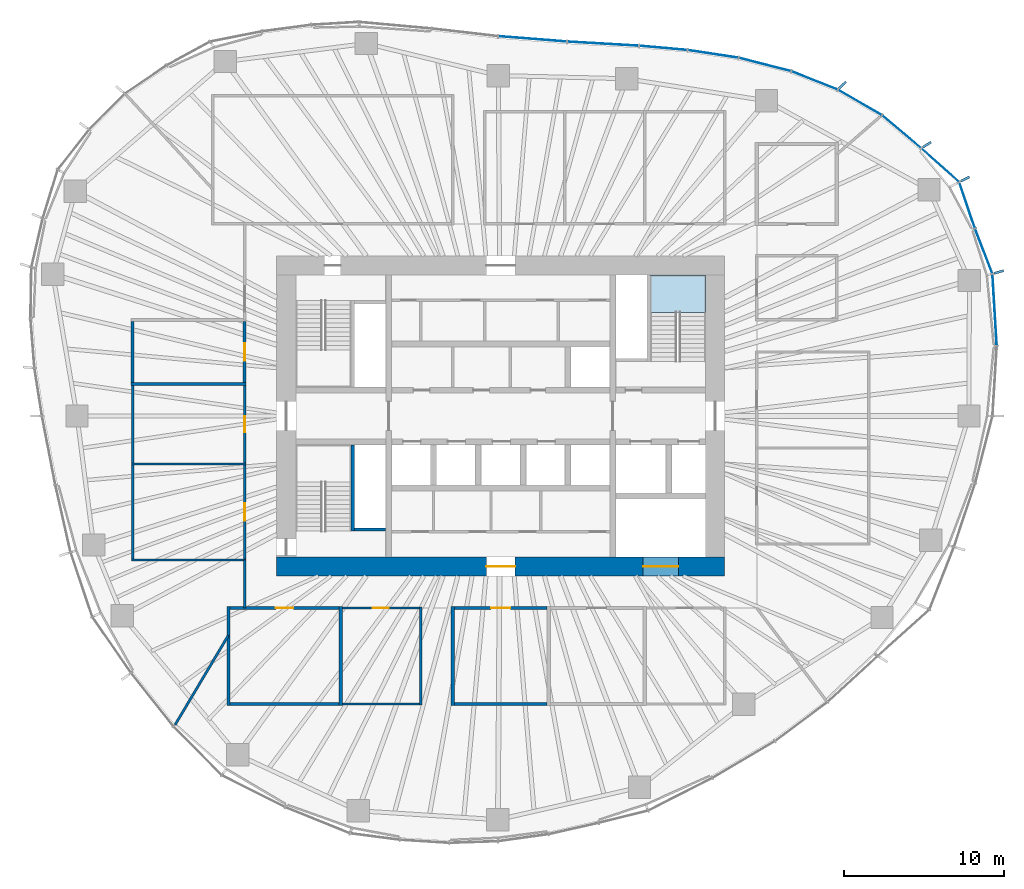
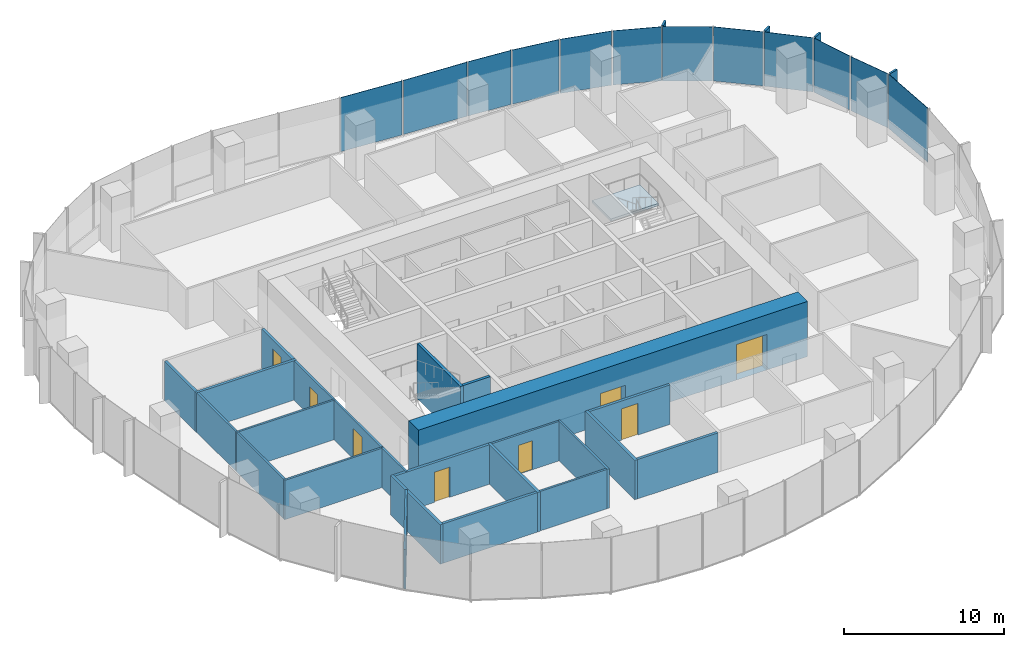
# One storey, part 8 of 18: 24 walls, 16 plates, 8 doors, 1 slab, 8 openings, 6 elements without a shape of their own.
"""IFC4 building model written with IfcOpenShell, lengths in metres."""

from ifc_helpers import new_model, si_unit, direction, frame, frame_2d, origin, origin_2d, place, context, subcontext, project, spatial, polyline, rectangle, outline, extrude, material, layer, layer_set, type_object, element, fill, aggregate, save


model = new_model("IFC4")

# Units and contexts
model_context = context("Model", 3, precision=1e-05, world=origin(), true_north=direction((0.0, 1.0)))
body_context = subcontext(model_context, "Body", "Model", "MODEL_VIEW")
ifc_project = project(units=[si_unit("LENGTHUNIT", "METRE"), si_unit("AREAUNIT", "SQUARE_METRE"), si_unit("VOLUMEUNIT", "CUBIC_METRE"), si_unit("PLANEANGLEUNIT", "RADIAN"), si_unit("MASSUNIT", "GRAM", prefix="KILO")], contexts=[model_context])

# Site, building, storey
site_placement = place(None, origin())
site = spatial("IfcSite", under=ifc_project, at=site_placement, CompositionType="ELEMENT")
building_placement = place(site_placement, origin())
building = spatial("IfcBuilding", under=site, at=building_placement, Name="Ghaith Harvest Tower", CompositionType="ELEMENT")
storey_placement = place(building_placement, frame((0.0, 0.0, 151.199951171875)))
storey = spatial("IfcBuildingStorey", under=building, at=storey_placement, Name="L32", CompositionType="ELEMENT", Elevation=151.199951171875)

# Curtain wall, plate
ifc_material_1 = material(Name="Black anodised aluminium and fritted glass", Category="aluminium")
curtain_wall_type = type_object("IfcCurtainWallType", Name="CW-L CURTAIN WALL", PredefinedType="NOTDEFINED", material=ifc_material_1)
curtain_wall_1_placement = place(storey_placement, origin())
curtain_wall_1 = element("IfcCurtainWall", 1, at=curtain_wall_1_placement, inside=storey, type_object=curtain_wall_type, Name="Curtain wall CW-L bay 01 L32", PredefinedType="NOTDEFINED")
ifc_material_2 = material(Name="Glass, dark solar-control fritted double glazed unit", Category="glass")
ifc_layer_1 = layer(ifc_material_2, 0.031982421875)
ifc_layer_set_1 = layer_set([ifc_layer_1], Name="CW-L VISION PANEL")
plate_type_1 = type_object("IfcPlateType", Name="CW-L VISION PANEL", PredefinedType="CURTAIN_PANEL", material=ifc_layer_set_1)
plate_1_placement = place(storey_placement, frame((30.863037109375, 6.63525390625, 0.080078125), z_axis=(0.0, 0.0, 1.0), x_axis=(-0.060320650032, 0.998179051663, 0.0)))
plate_1 = element("IfcPlate", 2, at=plate_1_placement, type_object=plate_type_1, Name="CW-L glass unit 2 bay 01 L32", PredefinedType="CURTAIN_PANEL", context=body_context, shape_type="SweptSolid", body=[
    extrude(rectangle(XDim=4.419189453125, YDim=0.031982421875, at=origin_2d()), origin(), (0.0, 0.0, 1.0), 4.1201171875),
])
aggregate(curtain_wall_1, [plate_1])

# Curtain wall, plates
curtain_wall_2_placement = place(storey_placement, origin())
curtain_wall_2 = element("IfcCurtainWall", 3, at=curtain_wall_2_placement, inside=storey, type_object=curtain_wall_type, Name="Curtain wall CW-L bay 02 L32", PredefinedType="NOTDEFINED")
plate_2_placement = place(storey_placement, frame((30.180908203125, 10.29833984375, 0.080078125), z_axis=(0.0, 0.0, 1.0), x_axis=(-0.359676824997, 0.933076943001, 0.0)))
plate_2 = element("IfcPlate", 4, at=plate_2_placement, type_object=plate_type_1, Name="CW-L glass unit 1 bay 02 L32", PredefinedType="CURTAIN_PANEL", context=body_context, shape_type="SweptSolid", body=[
    extrude(rectangle(XDim=2.95849609375, YDim=0.031982421875, at=origin_2d()), origin(), (0.0, 0.0, 1.0), 4.1201171875),
])
plate_3_placement = place(storey_placement, frame((29.142333984375, 13.163818359375, 0.080078125), z_axis=(0.0, 0.0, 1.0), x_axis=(-0.321853304376, 0.946789549194, 0.0)))
plate_3 = element("IfcPlate", 5, at=plate_3_placement, type_object=plate_type_1, Name="CW-L glass unit 2 bay 02 L32", PredefinedType="CURTAIN_PANEL", context=body_context, shape_type="SweptSolid", body=[
    extrude(rectangle(XDim=2.978759765625, YDim=0.031982421875, at=origin_2d()), origin(), (0.0, 0.0, 1.0), 4.1201171875),
])
plate_4_placement = place(storey_placement, frame((27.46533203125, 15.668701171875, 0.080078125), z_axis=(0.0, 0.0, 1.0), x_axis=(-0.746250544556, 0.665665174656, 0.0)))
plate_4 = element("IfcPlate", 6, at=plate_4_placement, type_object=plate_type_1, Name="CW-L glass unit 3 bay 02 L32", PredefinedType="CURTAIN_PANEL", context=body_context, shape_type="SweptSolid", body=[
    extrude(rectangle(XDim=3.094970703125, YDim=0.031982421875, at=origin_2d()), origin(), (0.0, 0.0, 1.0), 4.1201171875),
])
aggregate(curtain_wall_2, [plate_2, plate_3, plate_4])

curtain_wall_3_placement = place(storey_placement, origin())
curtain_wall_3 = element("IfcCurtainWall", 7, at=curtain_wall_3_placement, inside=storey, type_object=curtain_wall_type, Name="Curtain wall CW-L bay 03 L32", PredefinedType="NOTDEFINED")
plate_5_placement = place(storey_placement, frame((25.05126953125, 17.7587890625, 0.080078125), z_axis=(0.0, 0.0, 1.0), x_axis=(-0.765473064857, 0.643467937801, 0.0)))
plate_5 = element("IfcPlate", 8, at=plate_5_placement, type_object=plate_type_1, Name="CW-L glass unit 1 bay 03 L32", PredefinedType="CURTAIN_PANEL", context=body_context, shape_type="SweptSolid", body=[
    extrude(rectangle(XDim=3.13232421875, YDim=0.031982421875, at=origin_2d()), origin(), (0.0, 0.0, 1.0), 4.1201171875),
])
plate_6_placement = place(storey_placement, frame((22.444091796875, 19.590576171875, 0.080078125), z_axis=(0.0, 0.0, 1.0), x_axis=(-0.865232087993, 0.501371552751, 0.0)))
plate_6 = element("IfcPlate", 9, at=plate_6_placement, type_object=plate_type_1, Name="CW-L glass unit 2 bay 03 L32", PredefinedType="CURTAIN_PANEL", context=body_context, shape_type="SweptSolid", body=[
    extrude(rectangle(XDim=3.10498046875, YDim=0.031982421875, at=origin_2d()), origin(), (0.0, 0.0, 1.0), 4.1201171875),
])
plate_7_placement = place(storey_placement, frame((19.6142578125, 20.963623046875, 0.080078125), z_axis=(0.0, 0.0, 1.0), x_axis=(-0.929876534019, 0.367871759558, 0.0)))
plate_7 = element("IfcPlate", 10, at=plate_7_placement, type_object=plate_type_1, Name="CW-L glass unit 3 bay 03 L32", PredefinedType="CURTAIN_PANEL", context=body_context, shape_type="SweptSolid", body=[
    extrude(rectangle(XDim=3.042724609375, YDim=0.031982421875, at=origin_2d()), origin(), (0.0, 0.0, 1.0), 4.1201171875),
])
aggregate(curtain_wall_3, [plate_5, plate_6, plate_7])

curtain_wall_4_placement = place(storey_placement, origin())
curtain_wall_4 = element("IfcCurtainWall", 11, at=curtain_wall_4_placement, inside=storey, type_object=curtain_wall_type, Name="Curtain wall CW-L bay 04 L32", PredefinedType="NOTDEFINED")
plate_8_placement = place(storey_placement, frame((16.513427734375, 21.958740234375, 0.080078125), z_axis=(0.0, 0.0, 1.0), x_axis=(-0.96893110987, 0.247330758955, 0.0)))
plate_8 = element("IfcPlate", 12, at=plate_8_placement, type_object=plate_type_1, Name="CW-L glass unit 1 bay 04 L32", PredefinedType="CURTAIN_PANEL", context=body_context, shape_type="SweptSolid", body=[
    extrude(rectangle(XDim=3.3232421875, YDim=0.031982421875, at=origin_2d()), origin(), (0.0, 0.0, 1.0), 4.1201171875),
])
plate_9_placement = place(storey_placement, frame((13.2685546875, 22.621826171875, 0.080078125), z_axis=(0.0, 0.0, 1.0), x_axis=(-0.988678736369, 0.150047846542, 0.0)))
plate_9 = element("IfcPlate", 13, at=plate_9_placement, type_object=plate_type_1, Name="CW-L glass unit 2 bay 04 L32", PredefinedType="CURTAIN_PANEL", context=body_context, shape_type="SweptSolid", body=[
    extrude(rectangle(XDim=3.14892578125, YDim=0.031982421875, at=origin_2d()), origin(), (0.0, 0.0, 1.0), 4.1201171875),
])
plate_10_placement = place(storey_placement, frame((10.15966796875, 22.9970703125, 0.080078125), z_axis=(0.0, 0.0, 1.0), x_axis=(-0.996166190972, 0.087480969151, 0.0)))
plate_10 = element("IfcPlate", 14, at=plate_10_placement, type_object=plate_type_1, Name="CW-L glass unit 3 bay 04 L32", PredefinedType="CURTAIN_PANEL", context=body_context, shape_type="SweptSolid", body=[
    extrude(rectangle(XDim=2.957275390625, YDim=0.031982421875, at=origin_2d()), origin(), (0.0, 0.0, 1.0), 4.1201171875),
])
aggregate(curtain_wall_4, [plate_8, plate_9, plate_10])

curtain_wall_5_placement = place(storey_placement, origin())
curtain_wall_5 = element("IfcCurtainWall", 15, at=curtain_wall_5_placement, inside=storey, type_object=curtain_wall_type, Name="Curtain wall CW-L bay 05 L32", PredefinedType="NOTDEFINED")
plate_11_placement = place(storey_placement, frame((6.396728515625, 23.260498046875, 0.080078125), z_axis=(0.0, 0.0, 1.0), x_axis=(-0.998320798751, 0.05792739233, 0.0)))
plate_11 = element("IfcPlate", 16, at=plate_11_placement, type_object=plate_type_1, Name="CW-L glass unit 1 bay 05 L32", PredefinedType="CURTAIN_PANEL", context=body_context, shape_type="SweptSolid", body=[
    extrude(rectangle(XDim=4.427734375, YDim=0.031982421875, at=origin_2d()), origin(), (0.0, 0.0, 1.0), 4.1201171875),
])
plate_12_placement = place(storey_placement, frame((1.9921875, 23.560302734375, 0.080078125), z_axis=(0.0, 0.0, 1.0), x_axis=(-0.996925121312, 0.078360082291, 0.0)))
plate_12 = element("IfcPlate", 17, at=plate_12_placement, type_object=plate_type_1, Name="CW-L glass unit 2 bay 05 L32", PredefinedType="CURTAIN_PANEL", context=body_context, shape_type="SweptSolid", body=[
    extrude(rectangle(XDim=4.242431640625, YDim=0.031982421875, at=origin_2d()), origin(), (0.0, 0.0, 1.0), 4.1201171875),
])
aggregate(curtain_wall_5, [plate_11, plate_12])

# Stair, slab
ifc_material_3 = material(Name="Concrete C40/50, precast", Category="concrete")
stair_type = type_object("IfcStairType", Name="CORE STAIR 24R", PredefinedType="HALF_TURN_STAIR", material=ifc_material_3)
stair_placement = place(storey_placement, origin())
stair = element("IfcStair", 18, at=stair_placement, inside=storey, type_object=stair_type, Name="Stair ST2 L32", PredefinedType="HALF_TURN_STAIR")
ifc_material_4 = material(Name="Concrete C40/50, precast", Category="concrete")
ifc_layer_2 = layer(ifc_material_4, 0.179931640625)
ifc_layer_set_2 = layer_set([ifc_layer_2], Name="STAIR LANDING 180")
slab_type = type_object("IfcSlabType", Name="STAIR LANDING 180", PredefinedType="LANDING", material=ifc_layer_set_2)
slab_placement = place(storey_placement, frame((0.0, 0.0, 1.920166015625)))
slab = element("IfcSlab", 19, at=slab_placement, type_object=slab_type, Name="ST2 landing 1", PredefinedType="LANDING", context=body_context, shape_type="SweptSolid", body=[
    extrude(outline(polyline([(12.800048828125, 6.4599609375), (12.800048828125, 8.800048828125), (9.35009765625, 8.800048828125), (9.35009765625, 6.4599609375), (12.800048828125, 6.4599609375)])), origin(), (0.0, 0.0, 1.0), 0.179931640625),
])
aggregate(stair, [slab])

# Plates
ifc_material_5 = material(Name="Glassfibre-reinforced concrete", Category="concrete")
ifc_layer_3 = layer(ifc_material_5, 0.14990234375)
ifc_layer_set_3 = layer_set([ifc_layer_3], Name="SUN-BREAKER FIN 600x150")
plate_type_2 = type_object("IfcPlateType", Name="SUN-BREAKER FIN 600x150", PredefinedType="USERDEFINED", material=ifc_layer_set_3)
for number, where, z_axis, x_axis, name in (
    (20, (31.130859375, 8.99755859375, 0.0), (0.0, 0.0, 1.0), (0.960680349985, 0.277656739792, 0.0), "Sun-breaker fin CW-L 1 bay 02 L32"),
    (21, (29.024169921875, 14.802734375, 0.0), (0.0, 0.0, 1.0), (0.890830752257, 0.454335306611, 0.0), "Sun-breaker fin CW-L 3 bay 02 L32"),
    (22, (26.635009765625, 16.95068359375, 0.0), (0.0, 0.0, 1.0), (0.843643971464, 0.536903016766, 0.0), "Sun-breaker fin CW-L 1 bay 03 L32"),
    (23, (21.367919921875, 20.68115234375, 0.0), (0.0, 0.0, 1.0), (0.7185589652, 0.69546604053, 0.0), "Sun-breaker fin CW-L 3 bay 03 L32"),
):
    element("IfcPlate", number, at=place(storey_placement, frame(where, z_axis=z_axis, x_axis=x_axis)), inside=storey, type_object=plate_type_2, Name=name, ObjectType="SUN-BREAKER FIN", PredefinedType="USERDEFINED", context=body_context, shape_type="SweptSolid", body=[
        extrude(rectangle(XDim=0.60009765625, YDim=0.14990234375, at=origin_2d()), origin(), (0.0, 0.0, 1.0), 4.199951171875),
    ])

# Walls
ifc_material_6 = material(Name="Twin-stud gypsum board, acoustic", Category="gypsum")
ifc_layer_4 = layer(ifc_material_6, 0.199951171875)
ifc_layer_set_4 = layer_set([ifc_layer_4], Name="ACOUSTIC PARTITION 200")
wall_type_1 = type_object("IfcWallType", Name="ACOUSTIC PARTITION 200", PredefinedType="PARTITIONING", material=ifc_layer_set_4)
for number, where, z_axis, x_axis, name in (
    (24, (-17.0, -11.89990234375, 0.0), (0.0, 0.0, 1.0), (0.0, -1.0, 0.0), "Partition L32 row S3 cross wall 1"),
    (25, (-10.0, -11.89990234375, 0.0), (0.0, 0.0, 1.0), (0.0, -1.0, 0.0), "Partition L32 row S3 cross wall 2"),
):
    element("IfcWall", number, at=place(storey_placement, frame(where, z_axis=z_axis, x_axis=x_axis)), inside=storey, type_object=wall_type_1, Name=name, PredefinedType="PARTITIONING", context=body_context, shape_type="SweptSolid", body=[
        extrude(rectangle(XDim=6.2001953125, YDim=0.199951171875, at=frame_2d((3.10009765625, 0.0))), origin(), (0.0, 0.0, 1.0), 3.0),
    ])

# Wall, opening, door
wall_1_placement = place(storey_placement, frame((-16.89990234375, -12.0, 0.0), z_axis=(0.0, 0.0, 1.0), x_axis=(1.0, 0.0, 0.0)))
wall_1 = element("IfcWall", 26, at=wall_1_placement, inside=storey, type_object=wall_type_1, Name="Partition L32-05", PredefinedType="PARTITIONING", context=body_context, shape_type="SweptSolid", body=[
    extrude(rectangle(XDim=6.7998046875, YDim=0.199951171875, at=frame_2d((3.39990234375, 0.0))), origin(), (0.0, 0.0, 1.0), 3.0),
])
opening_1_placement = place(wall_1_placement, frame((2.85009765625, 0.0, 0.0)))
opening_1 = element("IfcOpeningElement", 27, at=opening_1_placement, cuts=wall_1, Name="Opening 32-032", PredefinedType="OPENING", context=body_context, shape_type="SweptSolid", body=[
    extrude(rectangle(XDim=1.10009765625, YDim=2.300048828125, at=frame_2d((0.550048828125, 1.14990234375))), frame((0.0, 0.10986328125, 0.0), z_axis=(0.0, -1.0, 0.0), x_axis=(1.0, 0.0, 0.0)), (0.0, 0.0, 1.0), 0.219970703125),
])
ifc_material_7 = material(Name="Timber-framed glazed door", Category="wood")
door_type_1 = type_object("IfcDoorType", Name="D12 GLAZED OFFICE 1100x2300", OperationType="SINGLE_SWING_LEFT", PredefinedType="DOOR", material=ifc_material_7)
door_1_placement = place(opening_1_placement, origin())
door_1 = element("IfcDoor", 28, at=door_1_placement, inside=storey, type_object=door_type_1, Name="Focus room door", OperationType="SINGLE_SWING_LEFT", OverallHeight=2.300048828125, OverallWidth=1.10009765625, PredefinedType="DOOR", context=body_context, shape_type="SweptSolid", body=[
    extrude(rectangle(XDim=1.10009765625, YDim=2.300048828125, at=frame_2d((0.550048828125, 1.14990234375))), frame((0.0, 0.02490234375, 0.0), z_axis=(0.0, -1.0, 0.0), x_axis=(1.0, 0.0, 0.0)), (0.0, 0.0, 1.0), 0.050048828125),
])
fill(opening_1, door_1)

# Walls
wall_2_placement = place(storey_placement, frame((-16.89990234375, -18.0, 0.0), z_axis=(0.0, 0.0, 1.0), x_axis=(1.0, 0.0, 0.0)))
element("IfcWall", 29, at=wall_2_placement, inside=storey, type_object=wall_type_1, Name="Partition L32-05", PredefinedType="PARTITIONING", context=body_context, shape_type="SweptSolid", body=[
    extrude(rectangle(XDim=6.7998046875, YDim=0.199951171875, at=frame_2d((3.39990234375, 0.0))), origin(), (0.0, 0.0, 1.0), 3.0),
])
wall_3_placement = place(storey_placement, frame((-3.0, -11.89990234375, 0.0), z_axis=(0.0, 0.0, 1.0), x_axis=(0.0, -1.0, 0.0)))
element("IfcWall", 30, at=wall_3_placement, inside=storey, type_object=wall_type_1, Name="Partition L32 row S4 cross wall 1", PredefinedType="PARTITIONING", context=body_context, shape_type="SweptSolid", body=[
    extrude(rectangle(XDim=6.2001953125, YDim=0.199951171875, at=frame_2d((3.10009765625, 0.0))), origin(), (0.0, 0.0, 1.0), 3.0),
])

# Wall, opening, door
wall_4_placement = place(storey_placement, frame((-2.89990234375, -12.0, 0.0), z_axis=(0.0, 0.0, 1.0), x_axis=(1.0, 0.0, 0.0)))
wall_4 = element("IfcWall", 31, at=wall_4_placement, inside=storey, type_object=wall_type_1, Name="Partition L32-07", PredefinedType="PARTITIONING", context=body_context, shape_type="SweptSolid", body=[
    extrude(rectangle(XDim=5.7998046875, YDim=0.199951171875, at=frame_2d((2.89990234375, 0.0))), origin(), (0.0, 0.0, 1.0), 3.0),
])
opening_2_placement = place(wall_4_placement, frame((2.300048828125, 0.0, 0.0)))
opening_2 = element("IfcOpeningElement", 32, at=opening_2_placement, cuts=wall_4, Name="Opening 32-034", PredefinedType="OPENING", context=body_context, shape_type="SweptSolid", body=[
    extrude(rectangle(XDim=1.199951171875, YDim=2.39990234375, at=frame_2d((0.60009765625, 1.199951171875))), frame((0.0, 0.10986328125, 0.0), z_axis=(0.0, -1.0, 0.0), x_axis=(1.0, 0.0, 0.0)), (0.0, 0.0, 1.0), 0.219970703125),
])
ifc_material_8 = material(Name="Timber door", Category="wood")
door_type_2 = type_object("IfcDoorType", Name="D11 GLAZED 1200x2400", OperationType="SINGLE_SWING_LEFT", PredefinedType="DOOR", material=ifc_material_8)
door_2_placement = place(opening_2_placement, origin())
door_2 = element("IfcDoor", 33, at=door_2_placement, inside=storey, type_object=door_type_2, Name="Meeting room door", OperationType="SINGLE_SWING_LEFT", OverallHeight=2.39990234375, OverallWidth=1.199951171875, PredefinedType="DOOR", context=body_context, shape_type="SweptSolid", body=[
    extrude(rectangle(XDim=1.199951171875, YDim=2.39990234375, at=frame_2d((0.60009765625, 1.199951171875))), frame((0.0, 0.02490234375, 0.0), z_axis=(0.0, -1.0, 0.0), x_axis=(1.0, 0.0, 0.0)), (0.0, 0.0, 1.0), 0.050048828125),
])
fill(opening_2, door_2)

# Walls
wall_5_placement = place(storey_placement, frame((-2.89990234375, -18.0, 0.0), z_axis=(0.0, 0.0, 1.0), x_axis=(1.0, 0.0, 0.0)))
element("IfcWall", 34, at=wall_5_placement, inside=storey, type_object=wall_type_1, Name="Partition L32-07", PredefinedType="PARTITIONING", context=body_context, shape_type="SweptSolid", body=[
    extrude(rectangle(XDim=5.7998046875, YDim=0.199951171875, at=frame_2d((2.89990234375, 0.0))), origin(), (0.0, 0.0, 1.0), 3.0),
])
wall_6_placement = place(storey_placement, frame((-15.89990234375, 2.0, 0.0), z_axis=(0.0, 0.0, 1.0), x_axis=(-1.0, 0.0, 0.0)))
element("IfcWall", 35, at=wall_6_placement, inside=storey, type_object=wall_type_1, Name="Partition L32 row W6 cross wall 3", PredefinedType="PARTITIONING", context=body_context, shape_type="SweptSolid", body=[
    extrude(rectangle(XDim=7.2001953125, YDim=0.199951171875, at=frame_2d((3.60009765625, 0.0))), origin(), (0.0, 0.0, 1.0), 3.0),
])

# Wall, opening, door
wall_7_placement = place(storey_placement, frame((-16.0, 2.10009765625, 0.0), z_axis=(0.0, 0.0, 1.0), x_axis=(0.0, 1.0, 0.0)))
wall_7 = element("IfcWall", 36, at=wall_7_placement, inside=storey, type_object=wall_type_1, Name="Partition L32-14", PredefinedType="PARTITIONING", context=body_context, shape_type="SweptSolid", body=[
    extrude(rectangle(XDim=3.7998046875, YDim=0.199951171875, at=frame_2d((1.89990234375, 0.0))), origin(), (0.0, 0.0, 1.0), 3.0),
])
opening_3_placement = place(wall_7_placement, frame((1.35009765625, 0.0, 0.0)))
opening_3 = element("IfcOpeningElement", 37, at=opening_3_placement, cuts=wall_7, Name="Opening 32-041", PredefinedType="OPENING", context=body_context, shape_type="SweptSolid", body=[
    extrude(rectangle(XDim=1.10009765625, YDim=2.300048828125, at=frame_2d((0.550048828125, 1.14990234375))), frame((0.0, 0.10986328125, 0.0), z_axis=(0.0, -1.0, 0.0), x_axis=(1.0, 0.0, 0.0)), (0.0, 0.0, 1.0), 0.219970703125),
])
door_3_placement = place(opening_3_placement, origin())
door_3 = element("IfcDoor", 38, at=door_3_placement, inside=storey, type_object=door_type_1, Name="Quiet room door", OperationType="SINGLE_SWING_LEFT", OverallHeight=2.300048828125, OverallWidth=1.10009765625, PredefinedType="DOOR", context=body_context, shape_type="SweptSolid", body=[
    extrude(rectangle(XDim=1.10009765625, YDim=2.300048828125, at=frame_2d((0.550048828125, 1.14990234375))), frame((0.0, 0.02490234375, 0.0), z_axis=(0.0, -1.0, 0.0), x_axis=(1.0, 0.0, 0.0)), (0.0, 0.0, 1.0), 0.050048828125),
])
fill(opening_3, door_3)

# Wall
wall_8_placement = place(storey_placement, frame((-23.0, 2.10009765625, 0.0), z_axis=(0.0, 0.0, 1.0), x_axis=(0.0, 1.0, 0.0)))
element("IfcWall", 39, at=wall_8_placement, inside=storey, type_object=wall_type_1, Name="Partition L32-14", PredefinedType="PARTITIONING", context=body_context, shape_type="SweptSolid", body=[
    extrude(rectangle(XDim=3.7998046875, YDim=0.199951171875, at=frame_2d((1.89990234375, 0.0))), origin(), (0.0, 0.0, 1.0), 3.0),
])

# Wall, openings, doors
ifc_material_9 = material(Name="Concrete C60/75", Category="concrete")
ifc_layer_5 = layer(ifc_material_9, 1.199951171875)
ifc_layer_set_5 = layer_set([ifc_layer_5], Name="CORE WALL CW1200 C60")
wall_type_2 = type_object("IfcWallType", Name="CORE WALL CW1200 C60", PredefinedType="SHEAR", material=ifc_layer_set_5)
wall_9_placement = place(storey_placement, frame((-14.0, -9.39990234375, 0.0), z_axis=(0.0, 0.0, 1.0), x_axis=(1.0, 0.0, 0.0)))
wall_9 = element("IfcWall", 40, at=wall_9_placement, inside=storey, type_object=wall_type_2, Name="Core wall S L32", PredefinedType="SHEAR", context=body_context, shape_type="SweptSolid", body=[
    extrude(rectangle(XDim=28.0, YDim=1.199951171875, at=frame_2d((14.0, 0.0))), origin(), (0.0, 0.0, 1.0), 4.199951171875),
])
opening_4_placement = place(wall_9_placement, frame((13.10009765625, 0.0, 0.0)))
opening_4 = element("IfcOpeningElement", 41, at=opening_4_placement, cuts=wall_9, Name="Opening 32-020", PredefinedType="OPENING", context=body_context, shape_type="SweptSolid", body=[
    extrude(rectangle(XDim=1.800048828125, YDim=2.39990234375, at=frame_2d((0.89990234375, 1.199951171875))), frame((0.0, 0.60986328125, 0.0), z_axis=(0.0, -1.0, 0.0), x_axis=(1.0, 0.0, 0.0)), (0.0, 0.0, 1.0), 1.219970703125),
])
opening_5_placement = place(wall_9_placement, frame((22.89990234375, 0.0, 0.0)))
opening_5 = element("IfcOpeningElement", 42, at=opening_5_placement, cuts=wall_9, Name="Opening 32-027", PredefinedType="OPENING", context=body_context, shape_type="SweptSolid", body=[
    extrude(rectangle(XDim=2.199951171875, YDim=2.699951171875, at=frame_2d((1.10009765625, 1.35009765625))), frame((0.0, 0.60986328125, 0.0), z_axis=(0.0, -1.0, 0.0), x_axis=(1.0, 0.0, 0.0)), (0.0, 0.0, 1.0), 1.219970703125),
])
ifc_material_10 = material(Name="Steel fire door", Category="steel")
door_type_3 = type_object("IfcDoorType", Name="D4 FD90 PAIR 1800x2400", OperationType="DOUBLE_DOOR_SINGLE_SWING", PredefinedType="DOOR", material=ifc_material_10)
door_4_placement = place(opening_4_placement, origin())
door_4 = element("IfcDoor", 43, at=door_4_placement, inside=storey, type_object=door_type_3, Name="Core service corridor doors", OperationType="DOUBLE_DOOR_SINGLE_SWING", OverallHeight=2.39990234375, OverallWidth=1.800048828125, PredefinedType="DOOR", context=body_context, shape_type="SweptSolid", body=[
    extrude(rectangle(XDim=1.800048828125, YDim=2.39990234375, at=frame_2d((0.89990234375, 1.199951171875))), frame((0.0, 0.02490234375, 0.0), z_axis=(0.0, -1.0, 0.0), x_axis=(1.0, 0.0, 0.0)), (0.0, 0.0, 1.0), 0.050048828125),
])
fill(opening_4, door_4)
ifc_material_11 = material(Name="Steel fire door", Category="steel")
door_type_4 = type_object("IfcDoorType", Name="LD3 LANDING 2200x2700", OperationType="DOUBLE_DOOR_SLIDING", PredefinedType="DOOR", material=ifc_material_11)
door_5_placement = place(opening_5_placement, origin())
door_5 = element("IfcDoor", 44, at=door_5_placement, inside=storey, type_object=door_type_4, Name="Landing door, goods lift GL1", OperationType="DOUBLE_DOOR_SLIDING", OverallHeight=2.699951171875, OverallWidth=2.199951171875, PredefinedType="DOOR", context=body_context, shape_type="SweptSolid", body=[
    extrude(rectangle(XDim=2.199951171875, YDim=2.699951171875, at=frame_2d((1.10009765625, 1.35009765625))), frame((0.0, 0.02490234375, 0.0), z_axis=(0.0, -1.0, 0.0), x_axis=(1.0, 0.0, 0.0)), (0.0, 0.0, 1.0), 0.050048828125),
])
fill(opening_5, door_5)

# Wall
ifc_material_12 = material(Name="Gypsum board on steel studs", Category="steel")
ifc_layer_6 = layer(ifc_material_12, 0.14990234375)
ifc_layer_set_6 = layer_set([ifc_layer_6], Name="PARTITION 150")
wall_type_3 = type_object("IfcWallType", Name="PARTITION 150", PredefinedType="PARTITIONING", material=ifc_layer_set_6)
wall_10_placement = place(storey_placement, frame((-5.0, -11.925048828125, 0.0), z_axis=(0.0, 0.0, 1.0), x_axis=(0.0, -1.0, 0.0)))
element("IfcWall", 45, at=wall_10_placement, inside=storey, type_object=wall_type_3, Name="Partition L32 row S3 cross wall 3", PredefinedType="PARTITIONING", context=body_context, shape_type="SweptSolid", body=[
    extrude(rectangle(XDim=6.14990234375, YDim=0.14990234375, at=frame_2d((3.074951171875, 0.0))), origin(), (0.0, 0.0, 1.0), 3.0),
])

# Wall, opening, door
wall_11_placement = place(storey_placement, frame((-9.89990234375, -12.0, 0.0), z_axis=(0.0, 0.0, 1.0), x_axis=(1.0, 0.0, 0.0)))
wall_11 = element("IfcWall", 46, at=wall_11_placement, inside=storey, type_object=wall_type_3, Name="Partition L32-06", PredefinedType="PARTITIONING", context=body_context, shape_type="SweptSolid", body=[
    extrude(rectangle(XDim=4.824951171875, YDim=0.14990234375, at=frame_2d((2.41259765625, 0.0))), origin(), (0.0, 0.0, 1.0), 3.0),
])
opening_6_placement = place(wall_11_placement, frame((1.91259765625, 0.0, 0.0)))
opening_6 = element("IfcOpeningElement", 47, at=opening_6_placement, cuts=wall_11, Name="Opening 32-033", PredefinedType="OPENING", context=body_context, shape_type="SweptSolid", body=[
    extrude(rectangle(XDim=1.0, YDim=2.199951171875, at=frame_2d((0.5, 1.10009765625))), frame((0.0, 0.0849609375, 0.0), z_axis=(0.0, -1.0, 0.0), x_axis=(1.0, 0.0, 0.0)), (0.0, 0.0, 1.0), 0.169921875),
])
ifc_material_13 = material(Name="Timber door", Category="wood")
door_type_5 = type_object("IfcDoorType", Name="D1 SINGLE 1000x2200", OperationType="SINGLE_SWING_LEFT", PredefinedType="DOOR", material=ifc_material_13)
door_6_placement = place(opening_6_placement, origin())
door_6 = element("IfcDoor", 48, at=door_6_placement, inside=storey, type_object=door_type_5, Name="Store door", OperationType="SINGLE_SWING_LEFT", OverallHeight=2.199951171875, OverallWidth=1.0, PredefinedType="DOOR", context=body_context, shape_type="SweptSolid", body=[
    extrude(rectangle(XDim=1.0, YDim=2.199951171875, at=frame_2d((0.5, 1.10009765625))), frame((0.0, 0.02490234375, 0.0), z_axis=(0.0, -1.0, 0.0), x_axis=(1.0, 0.0, 0.0)), (0.0, 0.0, 1.0), 0.050048828125),
])
fill(opening_6, door_6)

# Walls
wall_12_placement = place(storey_placement, frame((-9.89990234375, -18.0, 0.0), z_axis=(0.0, 0.0, 1.0), x_axis=(1.0, 0.0, 0.0)))
element("IfcWall", 49, at=wall_12_placement, inside=storey, type_object=wall_type_3, Name="Partition L32-06", PredefinedType="PARTITIONING", context=body_context, shape_type="SweptSolid", body=[
    extrude(rectangle(XDim=4.824951171875, YDim=0.14990234375, at=frame_2d((2.41259765625, 0.0))), origin(), (0.0, 0.0, 1.0), 3.0),
])
for number, where, z_axis, x_axis, name in (
    (50, (-15.925048828125, -9.0, 0.0), (0.0, 0.0, 1.0), (-1.0, 0.0, 0.0), "Partition L32 row W6 cross wall 1"),
    (51, (-15.925048828125, -3.0, 0.0), (0.0, 0.0, 1.0), (-1.0, 0.0, 0.0), "Partition L32 row W6 cross wall 2"),
):
    element("IfcWall", number, at=place(storey_placement, frame(where, z_axis=z_axis, x_axis=x_axis)), inside=storey, type_object=wall_type_3, Name=name, PredefinedType="PARTITIONING", context=body_context, shape_type="SweptSolid", body=[
        extrude(rectangle(XDim=7.14990234375, YDim=0.14990234375, at=frame_2d((3.574951171875, 0.0))), origin(), (0.0, 0.0, 1.0), 3.0),
    ])

# Wall, opening, door
wall_13_placement = place(storey_placement, frame((-16.0, -8.925048828125, 0.0), z_axis=(0.0, 0.0, 1.0), x_axis=(0.0, 1.0, 0.0)))
wall_13 = element("IfcWall", 52, at=wall_13_placement, inside=storey, type_object=wall_type_3, Name="Partition L32-12", PredefinedType="PARTITIONING", context=body_context, shape_type="SweptSolid", body=[
    extrude(rectangle(XDim=5.85009765625, YDim=0.14990234375, at=frame_2d((2.925048828125, 0.0))), origin(), (0.0, 0.0, 1.0), 3.0),
])
opening_7_placement = place(wall_13_placement, frame((2.375, 0.0, 0.0)))
opening_7 = element("IfcOpeningElement", 53, at=opening_7_placement, cuts=wall_13, Name="Opening 32-039", PredefinedType="OPENING", context=body_context, shape_type="SweptSolid", body=[
    extrude(rectangle(XDim=1.10009765625, YDim=2.300048828125, at=frame_2d((0.550048828125, 1.14990234375))), frame((0.0, 0.0849609375, 0.0), z_axis=(0.0, -1.0, 0.0), x_axis=(1.0, 0.0, 0.0)), (0.0, 0.0, 1.0), 0.169921875),
])
door_7_placement = place(opening_7_placement, origin())
door_7 = element("IfcDoor", 54, at=door_7_placement, inside=storey, type_object=door_type_1, Name="Office door", OperationType="SINGLE_SWING_LEFT", OverallHeight=2.300048828125, OverallWidth=1.10009765625, PredefinedType="DOOR", context=body_context, shape_type="SweptSolid", body=[
    extrude(rectangle(XDim=1.10009765625, YDim=2.300048828125, at=frame_2d((0.550048828125, 1.14990234375))), frame((0.0, 0.02490234375, 0.0), z_axis=(0.0, -1.0, 0.0), x_axis=(1.0, 0.0, 0.0)), (0.0, 0.0, 1.0), 0.050048828125),
])
fill(opening_7, door_7)

# Wall
wall_14_placement = place(storey_placement, frame((-23.0, -8.925048828125, 0.0), z_axis=(0.0, 0.0, 1.0), x_axis=(0.0, 1.0, 0.0)))
element("IfcWall", 55, at=wall_14_placement, inside=storey, type_object=wall_type_3, Name="Partition L32-12", PredefinedType="PARTITIONING", context=body_context, shape_type="SweptSolid", body=[
    extrude(rectangle(XDim=5.85009765625, YDim=0.14990234375, at=frame_2d((2.925048828125, 0.0))), origin(), (0.0, 0.0, 1.0), 3.0),
])

# Wall, opening, door
wall_15_placement = place(storey_placement, frame((-16.0, -2.925048828125, 0.0), z_axis=(0.0, 0.0, 1.0), x_axis=(0.0, 1.0, 0.0)))
wall_15 = element("IfcWall", 56, at=wall_15_placement, inside=storey, type_object=wall_type_3, Name="Partition L32-13", PredefinedType="PARTITIONING", context=body_context, shape_type="SweptSolid", body=[
    extrude(rectangle(XDim=4.824951171875, YDim=0.14990234375, at=frame_2d((2.41259765625, 0.0))), origin(), (0.0, 0.0, 1.0), 3.0),
])
opening_8_placement = place(wall_15_placement, frame((1.91259765625, 0.0, 0.0)))
opening_8 = element("IfcOpeningElement", 57, at=opening_8_placement, cuts=wall_15, Name="Opening 32-040", PredefinedType="OPENING", context=body_context, shape_type="SweptSolid", body=[
    extrude(rectangle(XDim=1.0, YDim=2.199951171875, at=frame_2d((0.5, 1.10009765625))), frame((0.0, 0.0849609375, 0.0), z_axis=(0.0, -1.0, 0.0), x_axis=(1.0, 0.0, 0.0)), (0.0, 0.0, 1.0), 0.169921875),
])
door_8_placement = place(opening_8_placement, origin())
door_8 = element("IfcDoor", 58, at=door_8_placement, inside=storey, type_object=door_type_5, Name="Print room door", OperationType="SINGLE_SWING_LEFT", OverallHeight=2.199951171875, OverallWidth=1.0, PredefinedType="DOOR", context=body_context, shape_type="SweptSolid", body=[
    extrude(rectangle(XDim=1.0, YDim=2.199951171875, at=frame_2d((0.5, 1.10009765625))), frame((0.0, 0.02490234375, 0.0), z_axis=(0.0, -1.0, 0.0), x_axis=(1.0, 0.0, 0.0)), (0.0, 0.0, 1.0), 0.050048828125),
])
fill(opening_8, door_8)

# Walls
wall_16_placement = place(storey_placement, frame((-23.0, -2.925048828125, 0.0), z_axis=(0.0, 0.0, 1.0), x_axis=(0.0, 1.0, 0.0)))
element("IfcWall", 59, at=wall_16_placement, inside=storey, type_object=wall_type_3, Name="Partition L32-13", PredefinedType="PARTITIONING", context=body_context, shape_type="SweptSolid", body=[
    extrude(rectangle(XDim=4.824951171875, YDim=0.14990234375, at=frame_2d((2.41259765625, 0.0))), origin(), (0.0, 0.0, 1.0), 3.0),
])
wall_17_placement = place(storey_placement, frame((-17.02001953125, -13.71337890625, 0.0), z_axis=(0.0, 0.0, 1.0), x_axis=(-0.511508304982, -0.859278333216, 0.0)))
element("IfcWall", 60, at=wall_17_placement, inside=storey, type_object=wall_type_3, Name="Partition L32 zone division", PredefinedType="PARTITIONING", context=body_context, shape_type="SweptSolid", body=[
    extrude(rectangle(XDim=6.49658203125, YDim=0.14990234375, at=frame_2d((3.248291015625, 0.0))), origin(), (0.0, 0.0, 1.0), 3.0),
])
wall_18_placement = place(storey_placement, frame((-16.0, -9.0, 0.0), z_axis=(0.0, 0.0, 1.0), x_axis=(0.0, -1.0, 0.0)))
element("IfcWall", 61, at=wall_18_placement, inside=storey, type_object=wall_type_3, Name="Partition L32 zone enclosure", PredefinedType="PARTITIONING", context=body_context, shape_type="SweptSolid", body=[
    extrude(rectangle(XDim=3.0, YDim=0.14990234375, at=frame_2d((1.5, 0.0))), origin(), (0.0, 0.0, 1.0), 3.0),
])
ifc_material_14 = material(Name="Concrete C40/50", Category="concrete")
ifc_layer_7 = layer(ifc_material_14, 0.199951171875)
ifc_layer_set_7 = layer_set([ifc_layer_7], Name="STAIR SPINE WALL RC200")
wall_type_4 = type_object("IfcWallType", Name="STAIR SPINE WALL RC200", PredefinedType="SOLIDWALL", material=ifc_layer_set_7)
wall_19_placement = place(storey_placement, frame((-9.25, -7.199951171875, 0.0), z_axis=(0.0, 0.0, 1.0), x_axis=(0.0, 1.0, 0.0)))
element("IfcWall", 62, at=wall_19_placement, inside=storey, type_object=wall_type_4, Name="Stair ST3 spine wall L32", PredefinedType="SOLIDWALL", context=body_context, shape_type="SweptSolid", body=[
    extrude(rectangle(XDim=5.39990234375, YDim=0.199951171875, at=frame_2d((2.699951171875, 0.0))), origin(), (0.0, 0.0, 1.0), 4.199951171875),
])
wall_20_placement = place(storey_placement, frame((-9.14990234375, -7.10009765625, 0.0), z_axis=(0.0, 0.0, 1.0), x_axis=(1.0, 0.0, 0.0)))
element("IfcWall", 63, at=wall_20_placement, inside=storey, type_object=wall_type_4, Name="Stair ST3 spine wall return L32", PredefinedType="SOLIDWALL", context=body_context, shape_type="SweptSolid", body=[
    extrude(rectangle(XDim=1.949951171875, YDim=0.199951171875, at=frame_2d((0.97509765625, 0.0))), origin(), (0.0, 0.0, 1.0), 4.199951171875),
])

save(model, "model.ifc")
